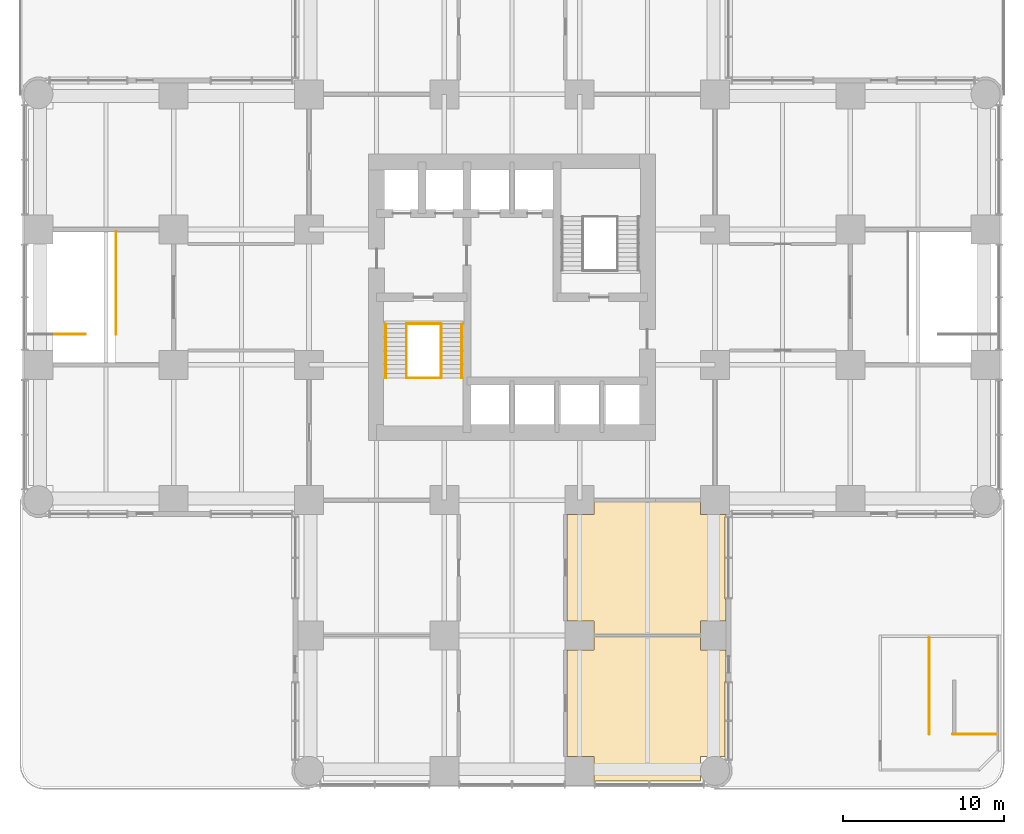
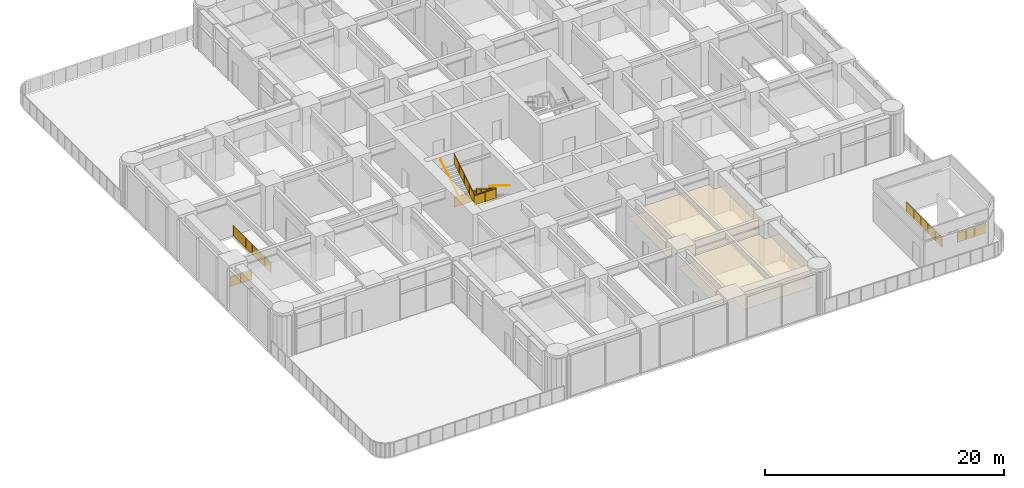
# One storey, part 15 of 21: 11 railings, 2 coverings.
"""IFC4 building model written with IfcOpenShell, lengths in metres."""

from ifc_helpers import new_model, si_unit, direction, frame, origin, origin_2d, place, context, subcontext, project, spatial, polyline, circle, outline, extrude, material, layer, layer_set, type_object, element, save


model = new_model("IFC4")

# Units and contexts
model_context = context("Model", 3, precision=1e-05, world=origin(), true_north=direction((0.0, 1.0)))
body_context = subcontext(model_context, "Body", "Model", "MODEL_VIEW")
ifc_project = project(units=[si_unit("LENGTHUNIT", "METRE"), si_unit("AREAUNIT", "SQUARE_METRE"), si_unit("VOLUMEUNIT", "CUBIC_METRE"), si_unit("PLANEANGLEUNIT", "RADIAN"), si_unit("MASSUNIT", "GRAM", prefix="KILO")], contexts=[model_context])

# Site, building, storey
site_placement = place(None, origin())
site = spatial("IfcSite", under=ifc_project, at=site_placement, CompositionType="ELEMENT")
building_placement = place(site_placement, origin())
building = spatial("IfcBuilding", under=site, at=building_placement, Name="Torre Alcanfor", CompositionType="ELEMENT")
storey_placement = place(building_placement, frame((0.0, 0.0, 24.0)))
storey = spatial("IfcBuildingStorey", under=building, at=storey_placement, Name="L05", CompositionType="ELEMENT", Elevation=24.0)

# Coverings
ifc_material_1 = material(Name="Mineral fibre acoustic tile 20 mm, NRC 0.70, on exposed suspension grid", Category="mineral fibre")
ifc_layer = layer(ifc_material_1, 0.02001953125)
ifc_layer_set = layer_set([ifc_layer], Name="Acoustic suspended ceiling 600x600 mineral fibre tile")
covering_type = type_object("IfcCoveringType", Name="Acoustic suspended ceiling 600x600 mineral fibre tile", PredefinedType="CEILING", material=ifc_layer_set)
covering_1_placement = place(storey_placement, frame((0.0, 0.0, 2.699951171875)))
element("IfcCovering", 1, at=covering_1_placement, inside=storey, type_object=covering_type, Name="Ceiling L05-02", PredefinedType="CEILING", context=body_context, shape_type="SweptSolid", body=[
    extrude(outline(polyline([(42.699951171875, 7.5), (41.10009765625, 7.5), (41.10009765625, 8.324951171875), (34.5, 8.324951171875), (34.5, 7.5), (32.800048828125, 7.5), (32.800048828125, 0.89990234375), (34.5, 0.89990234375), (34.5, -0.625), (41.10009765625, -0.625), (41.10009765625, 0.89990234375), (42.625, 0.89990234375), (42.625, 5.533203125), (42.699951171875, 5.533203125), (42.699951171875, 7.5)])), origin(), (0.0, 0.0, 1.0), 0.02001953125),
])
covering_2_placement = place(storey_placement, frame((0.0, 0.0, 2.699951171875)))
element("IfcCovering", 2, at=covering_2_placement, inside=storey, type_object=covering_type, Name="Ceiling L05-04", PredefinedType="CEILING", context=body_context, shape_type="SweptSolid", body=[
    extrude(outline(polyline([(42.699951171875, 15.89990234375), (41.10009765625, 15.89990234375), (41.10009765625, 16.699951171875), (34.5, 16.699951171875), (34.5, 15.89990234375), (32.800048828125, 15.89990234375), (32.800048828125, 9.300048828125), (34.5, 9.300048828125), (34.5, 8.47509765625), (41.10009765625, 8.47509765625), (41.10009765625, 9.300048828125), (42.699951171875, 9.300048828125), (42.699951171875, 10.666748046875), (42.625, 10.666748046875), (42.625, 15.800048828125), (42.699951171875, 15.800048828125), (42.699951171875, 15.89990234375)])), origin(), (0.0, 0.0, 1.0), 0.02001953125),
])

# Railings
ifc_material_2 = material(Name="Steel ASTM A500 Grade C hollow sections", Category="steel")
railing_type_1 = type_object("IfcRailingType", Name="Stair guard and handrail 1100", PredefinedType="GUARDRAIL", material=ifc_material_2)
railing_1_placement = place(storey_placement, frame((25.0, 27.75, 0.173095703125)))
element("IfcRailing", 3, at=railing_1_placement, inside=storey, type_object=railing_type_1, Name="Stair guard S1 L05 flight 1", PredefinedType="GUARDRAIL", context=body_context, shape_type="SweptSolid", body=[
    extrude(circle(Radius=0.02392578125, at=origin_2d()), frame((0.0, 0.0, 1.076171875), z_axis=(0.0, -0.850623216509, 0.525775754039), x_axis=(1.0, 0.0, 0.0)), (0.0, 0.0, 1.0), 3.9501953125),
    extrude(circle(Radius=0.02099609375, at=origin_2d()), origin(), (0.0, 0.0, 1.0), 1.052001953125),
    extrude(circle(Radius=0.02099609375, at=origin_2d()), frame((0.0, -0.840087890625, 0.519287109375)), (0.0, 0.0, 1.0), 1.052001953125),
    extrude(circle(Radius=0.02099609375, at=origin_2d()), frame((0.0, -1.68017578125, 1.03857421875)), (0.0, 0.0, 1.0), 1.052001953125),
    extrude(circle(Radius=0.02099609375, at=origin_2d()), frame((0.0, -2.52001953125, 1.5576171875)), (0.0, 0.0, 1.0), 1.052001953125),
    extrude(circle(Radius=0.02099609375, at=origin_2d()), frame((0.0, -3.360107421875, 2.076904296875)), (0.0, 0.0, 1.0), 1.052001953125),
    extrude(outline(polyline([(0.041015625, 0.075439453125), (0.799072265625, 0.5439453125), (0.799072265625, 1.495849609375), (0.041015625, 1.02734375), (0.041015625, 0.075439453125)])), frame((0.005859375, 0.0, 0.0), z_axis=(-1.0, 0.0, 0.0), x_axis=(0.0, -1.0, 0.0)), (0.0, 0.0, 1.0), 0.011962890625),
    extrude(outline(polyline([(0.881103515625, 0.594482421875), (1.63916015625, 1.06298828125), (1.63916015625, 2.01513671875), (0.881103515625, 1.546630859375), (0.881103515625, 0.594482421875)])), frame((0.005859375, 0.0, 0.0), z_axis=(-1.0, 0.0, 0.0), x_axis=(0.0, -1.0, 0.0)), (0.0, 0.0, 1.0), 0.011962890625),
    extrude(outline(polyline([(1.720947265625, 1.11376953125), (2.47900390625, 1.582275390625), (2.47900390625, 2.534423828125), (1.720947265625, 2.065673828125), (1.720947265625, 1.11376953125)])), frame((0.005859375, 0.0, 0.0), z_axis=(-1.0, 0.0, 0.0), x_axis=(0.0, -1.0, 0.0)), (0.0, 0.0, 1.0), 0.011962890625),
    extrude(outline(polyline([(2.56103515625, 1.633056640625), (3.319091796875, 2.1015625), (3.319091796875, 3.053466796875), (2.56103515625, 2.5849609375), (2.56103515625, 1.633056640625)])), frame((0.005859375, 0.0, 0.0), z_axis=(-1.0, 0.0, 0.0), x_axis=(0.0, -1.0, 0.0)), (0.0, 0.0, 1.0), 0.011962890625),
])
railing_2_placement = place(storey_placement, frame((22.85009765625, 24.389892578125, 2.423095703125)))
element("IfcRailing", 4, at=railing_2_placement, inside=storey, type_object=railing_type_1, Name="Stair guard S1 L05 flight 2", PredefinedType="GUARDRAIL", context=body_context, shape_type="SweptSolid", body=[
    extrude(circle(Radius=0.02392578125, at=origin_2d()), frame((0.0, 0.0, 1.076171875), z_axis=(0.0, 0.850623216509, 0.525775754039), x_axis=(-1.0, 0.0, 0.0)), (0.0, 0.0, 1.0), 3.9501953125),
    extrude(circle(Radius=0.02099609375, at=origin_2d()), origin(), (0.0, 0.0, 1.0), 1.052001953125),
    extrude(circle(Radius=0.02099609375, at=origin_2d()), frame((0.0, 0.840087890625, 0.519287109375)), (0.0, 0.0, 1.0), 1.052001953125),
    extrude(circle(Radius=0.02099609375, at=origin_2d()), frame((0.0, 1.68017578125, 1.03857421875)), (0.0, 0.0, 1.0), 1.052001953125),
    extrude(circle(Radius=0.02099609375, at=origin_2d()), frame((0.0, 2.52001953125, 1.5576171875)), (0.0, 0.0, 1.0), 1.052001953125),
    extrude(circle(Radius=0.02099609375, at=origin_2d()), frame((0.0, 3.360107421875, 2.076904296875)), (0.0, 0.0, 1.0), 1.052001953125),
    extrude(outline(polyline([(0.041015625, 0.075439453125), (0.799072265625, 0.5439453125), (0.799072265625, 1.495849609375), (0.041015625, 1.02734375), (0.041015625, 0.075439453125)])), frame((-0.005859375, 0.0, 0.0), z_axis=(1.0, 0.0, 0.0), x_axis=(0.0, 1.0, 0.0)), (0.0, 0.0, 1.0), 0.011962890625),
    extrude(outline(polyline([(0.881103515625, 0.594482421875), (1.63916015625, 1.06298828125), (1.63916015625, 2.01513671875), (0.881103515625, 1.546630859375), (0.881103515625, 0.594482421875)])), frame((-0.005859375, 0.0, 0.0), z_axis=(1.0, 0.0, 0.0), x_axis=(0.0, 1.0, 0.0)), (0.0, 0.0, 1.0), 0.011962890625),
    extrude(outline(polyline([(1.720947265625, 1.11376953125), (2.47900390625, 1.582275390625), (2.47900390625, 2.534423828125), (1.720947265625, 2.065673828125), (1.720947265625, 1.11376953125)])), frame((-0.005859375, 0.0, 0.0), z_axis=(1.0, 0.0, 0.0), x_axis=(0.0, 1.0, 0.0)), (0.0, 0.0, 1.0), 0.011962890625),
    extrude(outline(polyline([(2.56103515625, 1.633056640625), (3.319091796875, 2.1015625), (3.319091796875, 3.053466796875), (2.56103515625, 2.5849609375), (2.56103515625, 1.633056640625)])), frame((-0.005859375, 0.0, 0.0), z_axis=(1.0, 0.0, 0.0), x_axis=(0.0, 1.0, 0.0)), (0.0, 0.0, 1.0), 0.011962890625),
])
for number, where, name in (
    (5, (22.85009765625, 27.75, 0.0), "Stair well guard S1 L05 floor landing"),
    (6, (22.85009765625, 24.389892578125, 2.25), "Stair well guard S1 L05 half landing"),
):
    element("IfcRailing", number, at=place(storey_placement, frame(where)), inside=storey, type_object=railing_type_1, Name=name, PredefinedType="GUARDRAIL", context=body_context, shape_type="SweptSolid", body=[
        extrude(circle(Radius=0.02392578125, at=origin_2d()), frame((0.0, 0.0, 1.076171875), z_axis=(1.0, 0.0, 0.0), x_axis=(0.0, 1.0, 0.0)), (0.0, 0.0, 1.0), 2.14990234375),
        extrude(circle(Radius=0.02099609375, at=origin_2d()), origin(), (0.0, 0.0, 1.0), 1.052001953125),
        extrude(circle(Radius=0.02099609375, at=origin_2d()), frame((1.074951171875, 0.0, 0.0)), (0.0, 0.0, 1.0), 1.052001953125),
        extrude(circle(Radius=0.02099609375, at=origin_2d()), frame((2.14990234375, 0.0, 0.0)), (0.0, 0.0, 1.0), 1.052001953125),
        extrude(outline(polyline([(0.041015625, 0.050048828125), (1.033935546875, 0.050048828125), (1.033935546875, 1.001953125), (0.041015625, 1.001953125), (0.041015625, 0.050048828125)])), frame((0.0, 0.005859375, 0.0), z_axis=(0.0, -1.0, 0.0), x_axis=(1.0, 0.0, 0.0)), (0.0, 0.0, 1.0), 0.011962890625),
        extrude(outline(polyline([(1.115966796875, 0.050048828125), (2.10888671875, 0.050048828125), (2.10888671875, 1.001953125), (1.115966796875, 1.001953125), (1.115966796875, 0.050048828125)])), frame((0.0, 0.005859375, 0.0), z_axis=(0.0, -1.0, 0.0), x_axis=(1.0, 0.0, 0.0)), (0.0, 0.0, 1.0), 0.011962890625),
    ])
railing_3_placement = place(storey_placement, frame((4.81005859375, 27.10498046875, 0.0)))
element("IfcRailing", 7, at=railing_3_placement, inside=storey, type_object=railing_type_1, Name="Stair well guard SS1 L05 door side", PredefinedType="GUARDRAIL", context=body_context, shape_type="SweptSolid", body=[
    extrude(circle(Radius=0.02392578125, at=origin_2d()), frame((0.0, 0.0, 1.076171875), z_axis=(0.0, 1.0, 0.0), x_axis=(-1.0, 0.0, 0.0)), (0.0, 0.0, 1.0), 6.360107421875),
    extrude(circle(Radius=0.02099609375, at=origin_2d()), origin(), (0.0, 0.0, 1.0), 1.052001953125),
    extrude(circle(Radius=0.02099609375, at=origin_2d()), frame((0.0, 1.06005859375, 0.0)), (0.0, 0.0, 1.0), 1.052001953125),
    extrude(circle(Radius=0.02099609375, at=origin_2d()), frame((0.0, 2.1201171875, 0.0)), (0.0, 0.0, 1.0), 1.052001953125),
    extrude(circle(Radius=0.02099609375, at=origin_2d()), frame((0.0, 3.18017578125, 0.0)), (0.0, 0.0, 1.0), 1.052001953125),
    extrude(circle(Radius=0.02099609375, at=origin_2d()), frame((0.0, 4.239990234375, 0.0)), (0.0, 0.0, 1.0), 1.052001953125),
    extrude(circle(Radius=0.02099609375, at=origin_2d()), frame((0.0, 5.300048828125, 0.0)), (0.0, 0.0, 1.0), 1.052001953125),
    extrude(circle(Radius=0.02099609375, at=origin_2d()), frame((0.0, 6.360107421875, 0.0)), (0.0, 0.0, 1.0), 1.052001953125),
    extrude(outline(polyline([(0.041015625, 0.050048828125), (1.01904296875, 0.050048828125), (1.01904296875, 1.001953125), (0.041015625, 1.001953125), (0.041015625, 0.050048828125)])), frame((-0.005859375, 0.0, 0.0), z_axis=(1.0, 0.0, 0.0), x_axis=(0.0, 1.0, 0.0)), (0.0, 0.0, 1.0), 0.011962890625),
    extrude(outline(polyline([(1.10107421875, 0.050048828125), (2.0791015625, 0.050048828125), (2.0791015625, 1.001953125), (1.10107421875, 1.001953125), (1.10107421875, 0.050048828125)])), frame((-0.005859375, 0.0, 0.0), z_axis=(1.0, 0.0, 0.0), x_axis=(0.0, 1.0, 0.0)), (0.0, 0.0, 1.0), 0.011962890625),
    extrude(outline(polyline([(2.1611328125, 0.050048828125), (3.13916015625, 0.050048828125), (3.13916015625, 1.001953125), (2.1611328125, 1.001953125), (2.1611328125, 0.050048828125)])), frame((-0.005859375, 0.0, 0.0), z_axis=(1.0, 0.0, 0.0), x_axis=(0.0, 1.0, 0.0)), (0.0, 0.0, 1.0), 0.011962890625),
    extrude(outline(polyline([(3.220947265625, 0.050048828125), (4.198974609375, 0.050048828125), (4.198974609375, 1.001953125), (3.220947265625, 1.001953125), (3.220947265625, 0.050048828125)])), frame((-0.005859375, 0.0, 0.0), z_axis=(1.0, 0.0, 0.0), x_axis=(0.0, 1.0, 0.0)), (0.0, 0.0, 1.0), 0.011962890625),
    extrude(outline(polyline([(4.281005859375, 0.050048828125), (5.259033203125, 0.050048828125), (5.259033203125, 1.001953125), (4.281005859375, 1.001953125), (4.281005859375, 0.050048828125)])), frame((-0.005859375, 0.0, 0.0), z_axis=(1.0, 0.0, 0.0), x_axis=(0.0, 1.0, 0.0)), (0.0, 0.0, 1.0), 0.011962890625),
    extrude(outline(polyline([(5.341064453125, 0.050048828125), (6.319091796875, 0.050048828125), (6.319091796875, 1.001953125), (5.341064453125, 1.001953125), (5.341064453125, 0.050048828125)])), frame((-0.005859375, 0.0, 0.0), z_axis=(1.0, 0.0, 0.0), x_axis=(0.0, 1.0, 0.0)), (0.0, 0.0, 1.0), 0.011962890625),
])
railing_4_placement = place(storey_placement, frame((0.85009765625, 27.10498046875, 0.0)))
element("IfcRailing", 8, at=railing_4_placement, inside=storey, type_object=railing_type_1, Name="Stair well guard SS1 L05 top landing", PredefinedType="GUARDRAIL", context=body_context, shape_type="SweptSolid", body=[
    extrude(circle(Radius=0.02392578125, at=origin_2d()), frame((0.0, 0.0, 1.076171875), z_axis=(1.0, 0.0, 0.0), x_axis=(0.0, 1.0, 0.0)), (0.0, 0.0, 1.0), 2.079833984375),
    extrude(circle(Radius=0.02099609375, at=origin_2d()), origin(), (0.0, 0.0, 1.0), 1.052001953125),
    extrude(circle(Radius=0.02099609375, at=origin_2d()), frame((1.0400390625, 0.0, 0.0)), (0.0, 0.0, 1.0), 1.052001953125),
    extrude(circle(Radius=0.02099609375, at=origin_2d()), frame((2.079833984375, 0.0, 0.0)), (0.0, 0.0, 1.0), 1.052001953125),
    extrude(outline(polyline([(0.041015625, 0.050048828125), (0.9990234375, 0.050048828125), (0.9990234375, 1.001953125), (0.041015625, 1.001953125), (0.041015625, 0.050048828125)])), frame((0.0, 0.005859375, 0.0), z_axis=(0.0, -1.0, 0.0), x_axis=(1.0, 0.0, 0.0)), (0.0, 0.0, 1.0), 0.011962890625),
    extrude(outline(polyline([(1.080810546875, 0.050048828125), (2.038818359375, 0.050048828125), (2.038818359375, 1.001953125), (1.080810546875, 1.001953125), (1.080810546875, 0.050048828125)])), frame((0.0, 0.005859375, 0.0), z_axis=(0.0, -1.0, 0.0), x_axis=(1.0, 0.0, 0.0)), (0.0, 0.0, 1.0), 0.011962890625),
])
railing_5_placement = place(storey_placement, frame((55.300048828125, 2.27490234375, 0.0)))
element("IfcRailing", 9, at=railing_5_placement, inside=storey, type_object=railing_type_1, Name="Stair well guard SS3 L05 door side", PredefinedType="GUARDRAIL", context=body_context, shape_type="SweptSolid", body=[
    extrude(circle(Radius=0.02392578125, at=origin_2d()), frame((0.0, 0.0, 1.076171875), z_axis=(0.0, 1.0, 0.0), x_axis=(-1.0, 0.0, 0.0)), (0.0, 0.0, 1.0), 5.989990234375),
    extrude(circle(Radius=0.02099609375, at=origin_2d()), origin(), (0.0, 0.0, 1.0), 1.052001953125),
    extrude(circle(Radius=0.02099609375, at=origin_2d()), frame((0.0, 1.197998046875, 0.0)), (0.0, 0.0, 1.0), 1.052001953125),
    extrude(circle(Radius=0.02099609375, at=origin_2d()), frame((0.0, 2.39599609375, 0.0)), (0.0, 0.0, 1.0), 1.052001953125),
    extrude(circle(Radius=0.02099609375, at=origin_2d()), frame((0.0, 3.593994140625, 0.0)), (0.0, 0.0, 1.0), 1.052001953125),
    extrude(circle(Radius=0.02099609375, at=origin_2d()), frame((0.0, 4.7919921875, 0.0)), (0.0, 0.0, 1.0), 1.052001953125),
    extrude(circle(Radius=0.02099609375, at=origin_2d()), frame((0.0, 5.989990234375, 0.0)), (0.0, 0.0, 1.0), 1.052001953125),
    extrude(outline(polyline([(0.041015625, 0.050048828125), (1.156982421875, 0.050048828125), (1.156982421875, 1.001953125), (0.041015625, 1.001953125), (0.041015625, 0.050048828125)])), frame((-0.005859375, 0.0, 0.0), z_axis=(1.0, 0.0, 0.0), x_axis=(0.0, 1.0, 0.0)), (0.0, 0.0, 1.0), 0.011962890625),
    extrude(outline(polyline([(1.239013671875, 0.050048828125), (2.35498046875, 0.050048828125), (2.35498046875, 1.001953125), (1.239013671875, 1.001953125), (1.239013671875, 0.050048828125)])), frame((-0.005859375, 0.0, 0.0), z_axis=(1.0, 0.0, 0.0), x_axis=(0.0, 1.0, 0.0)), (0.0, 0.0, 1.0), 0.011962890625),
    extrude(outline(polyline([(2.43701171875, 0.050048828125), (3.552978515625, 0.050048828125), (3.552978515625, 1.001953125), (2.43701171875, 1.001953125), (2.43701171875, 0.050048828125)])), frame((-0.005859375, 0.0, 0.0), z_axis=(1.0, 0.0, 0.0), x_axis=(0.0, 1.0, 0.0)), (0.0, 0.0, 1.0), 0.011962890625),
    extrude(outline(polyline([(3.635009765625, 0.050048828125), (4.7509765625, 0.050048828125), (4.7509765625, 1.001953125), (3.635009765625, 1.001953125), (3.635009765625, 0.050048828125)])), frame((-0.005859375, 0.0, 0.0), z_axis=(1.0, 0.0, 0.0), x_axis=(0.0, 1.0, 0.0)), (0.0, 0.0, 1.0), 0.011962890625),
    extrude(outline(polyline([(4.8330078125, 0.050048828125), (5.948974609375, 0.050048828125), (5.948974609375, 1.001953125), (4.8330078125, 1.001953125), (4.8330078125, 0.050048828125)])), frame((-0.005859375, 0.0, 0.0), z_axis=(1.0, 0.0, 0.0), x_axis=(0.0, 1.0, 0.0)), (0.0, 0.0, 1.0), 0.011962890625),
])
railing_6_placement = place(storey_placement, frame((59.449951171875, 2.27490234375, 0.0)))
element("IfcRailing", 10, at=railing_6_placement, inside=storey, type_object=railing_type_1, Name="Stair well guard SS3 L05 facade strip", PredefinedType="GUARDRAIL", context=body_context, shape_type="SweptSolid", body=[
    extrude(circle(Radius=0.02392578125, at=origin_2d()), frame((0.0, 0.0, 1.076171875), z_axis=(-1.0, 0.0, 0.0), x_axis=(0.0, -1.0, 0.0)), (0.0, 0.0, 1.0), 1.050048828125),
    extrude(circle(Radius=0.02099609375, at=origin_2d()), origin(), (0.0, 0.0, 1.0), 1.052001953125),
    extrude(circle(Radius=0.02099609375, at=origin_2d()), frame((-1.050048828125, 0.0, 0.0)), (0.0, 0.0, 1.0), 1.052001953125),
    extrude(outline(polyline([(0.041015625, 0.050048828125), (1.009033203125, 0.050048828125), (1.009033203125, 1.001953125), (0.041015625, 1.001953125), (0.041015625, 0.050048828125)])), frame((0.0, -0.005859375, 0.0), z_axis=(0.0, 1.0, 0.0), x_axis=(-1.0, 0.0, 0.0)), (0.0, 0.0, 1.0), 0.011962890625),
])
railing_7_placement = place(storey_placement, frame((58.39990234375, 2.27490234375, 0.0)))
element("IfcRailing", 11, at=railing_7_placement, inside=storey, type_object=railing_type_1, Name="Stair well guard SS3 L05 top landing", PredefinedType="GUARDRAIL", context=body_context, shape_type="SweptSolid", body=[
    extrude(circle(Radius=0.02392578125, at=origin_2d()), frame((0.0, 0.0, 1.076171875), z_axis=(-1.0, 0.0, 0.0), x_axis=(0.0, -1.0, 0.0)), (0.0, 0.0, 1.0), 1.64990234375),
    extrude(circle(Radius=0.02099609375, at=origin_2d()), origin(), (0.0, 0.0, 1.0), 1.052001953125),
    extrude(circle(Radius=0.02099609375, at=origin_2d()), frame((-0.824951171875, 0.0, 0.0)), (0.0, 0.0, 1.0), 1.052001953125),
    extrude(circle(Radius=0.02099609375, at=origin_2d()), frame((-1.64990234375, 0.0, 0.0)), (0.0, 0.0, 1.0), 1.052001953125),
    extrude(outline(polyline([(0.041015625, 0.050048828125), (0.783935546875, 0.050048828125), (0.783935546875, 1.001953125), (0.041015625, 1.001953125), (0.041015625, 0.050048828125)])), frame((0.0, -0.005859375, 0.0), z_axis=(0.0, 1.0, 0.0), x_axis=(-1.0, 0.0, 0.0)), (0.0, 0.0, 1.0), 0.011962890625),
    extrude(outline(polyline([(0.865966796875, 0.050048828125), (1.60888671875, 0.050048828125), (1.60888671875, 1.001953125), (0.865966796875, 1.001953125), (0.865966796875, 0.050048828125)])), frame((0.0, -0.005859375, 0.0), z_axis=(0.0, 1.0, 0.0), x_axis=(-1.0, 0.0, 0.0)), (0.0, 0.0, 1.0), 0.011962890625),
])
ifc_material_3 = material(Name="Steel ASTM A500 Grade C hollow sections", Category="steel")
railing_type_2 = type_object("IfcRailingType", Name="Stair wall handrail 900", PredefinedType="HANDRAIL", material=ifc_material_3)
railing_8_placement = place(storey_placement, frame((26.284912109375, 27.75, 0.173095703125)))
element("IfcRailing", 12, at=railing_8_placement, inside=storey, type_object=railing_type_2, Name="Stair handrail S1 L05 flight 1", PredefinedType="HANDRAIL", context=body_context, shape_type="SweptSolid", body=[
    extrude(circle(Radius=0.02392578125, at=origin_2d()), frame((0.0, 0.0, 0.8759765625), z_axis=(0.0, -0.850623216509, 0.525775754039), x_axis=(1.0, 0.0, 0.0)), (0.0, 0.0, 1.0), 3.9501953125),
    extrude(circle(Radius=0.008056640625, at=origin_2d()), frame((0.0, 0.0, 0.8759765625), z_axis=(1.0, 0.0, 0.0), x_axis=(0.0, 0.0, 1.0)), (0.0, 0.0, 1.0), 0.06494140625),
    extrude(circle(Radius=0.008056640625, at=origin_2d()), frame((0.0, -0.840087890625, 1.39501953125), z_axis=(1.0, 0.0, 0.0), x_axis=(0.0, 0.0, 1.0)), (0.0, 0.0, 1.0), 0.06494140625),
    extrude(circle(Radius=0.008056640625, at=origin_2d()), frame((0.0, -1.68017578125, 1.914306640625), z_axis=(1.0, 0.0, 0.0), x_axis=(0.0, 0.0, 1.0)), (0.0, 0.0, 1.0), 0.06494140625),
    extrude(circle(Radius=0.008056640625, at=origin_2d()), frame((0.0, -2.52001953125, 2.43359375), z_axis=(1.0, 0.0, 0.0), x_axis=(0.0, 0.0, 1.0)), (0.0, 0.0, 1.0), 0.06494140625),
    extrude(circle(Radius=0.008056640625, at=origin_2d()), frame((0.0, -3.360107421875, 2.95263671875), z_axis=(1.0, 0.0, 0.0), x_axis=(0.0, 0.0, 1.0)), (0.0, 0.0, 1.0), 0.06494140625),
])
railing_9_placement = place(storey_placement, frame((21.56494140625, 24.389892578125, 2.423095703125)))
element("IfcRailing", 13, at=railing_9_placement, inside=storey, type_object=railing_type_2, Name="Stair handrail S1 L05 flight 2", PredefinedType="HANDRAIL", context=body_context, shape_type="SweptSolid", body=[
    extrude(circle(Radius=0.02392578125, at=origin_2d()), frame((0.0, 0.0, 0.8759765625), z_axis=(0.0, 0.850623216509, 0.525775754039), x_axis=(-1.0, 0.0, 0.0)), (0.0, 0.0, 1.0), 3.9501953125),
    extrude(circle(Radius=0.008056640625, at=origin_2d()), frame((0.0, 0.0, 0.8759765625), z_axis=(-1.0, 0.0, 0.0), x_axis=(0.0, 0.0, 1.0)), (0.0, 0.0, 1.0), 0.06494140625),
    extrude(circle(Radius=0.008056640625, at=origin_2d()), frame((0.0, 0.840087890625, 1.39501953125), z_axis=(-1.0, 0.0, 0.0), x_axis=(0.0, 0.0, 1.0)), (0.0, 0.0, 1.0), 0.06494140625),
    extrude(circle(Radius=0.008056640625, at=origin_2d()), frame((0.0, 1.68017578125, 1.914306640625), z_axis=(-1.0, 0.0, 0.0), x_axis=(0.0, 0.0, 1.0)), (0.0, 0.0, 1.0), 0.06494140625),
    extrude(circle(Radius=0.008056640625, at=origin_2d()), frame((0.0, 2.52001953125, 2.43359375), z_axis=(-1.0, 0.0, 0.0), x_axis=(0.0, 0.0, 1.0)), (0.0, 0.0, 1.0), 0.06494140625),
    extrude(circle(Radius=0.008056640625, at=origin_2d()), frame((0.0, 3.360107421875, 2.95263671875), z_axis=(-1.0, 0.0, 0.0), x_axis=(0.0, 0.0, 1.0)), (0.0, 0.0, 1.0), 0.06494140625),
])

save(model, "model.ifc")
